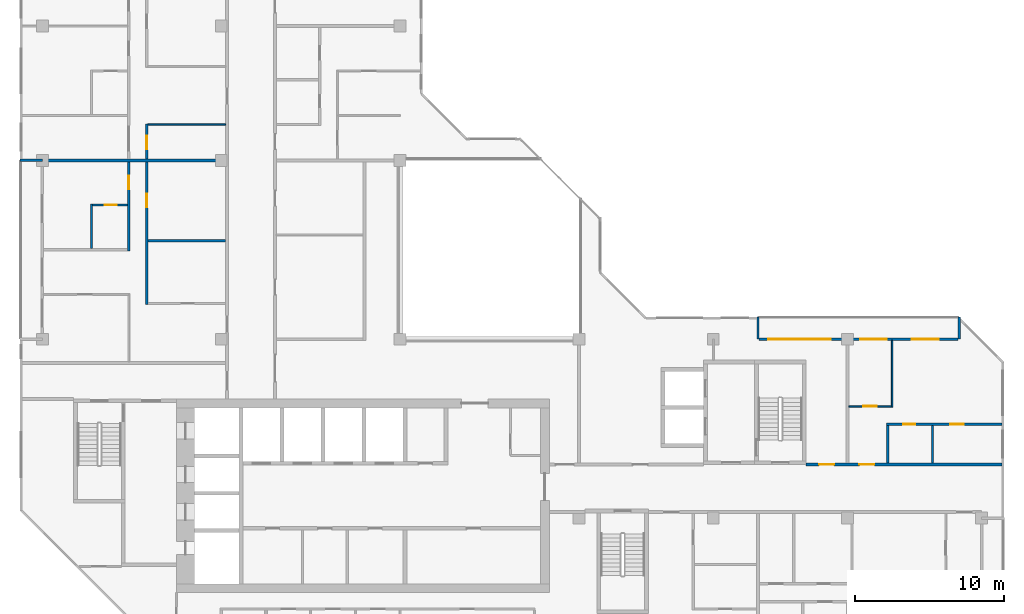
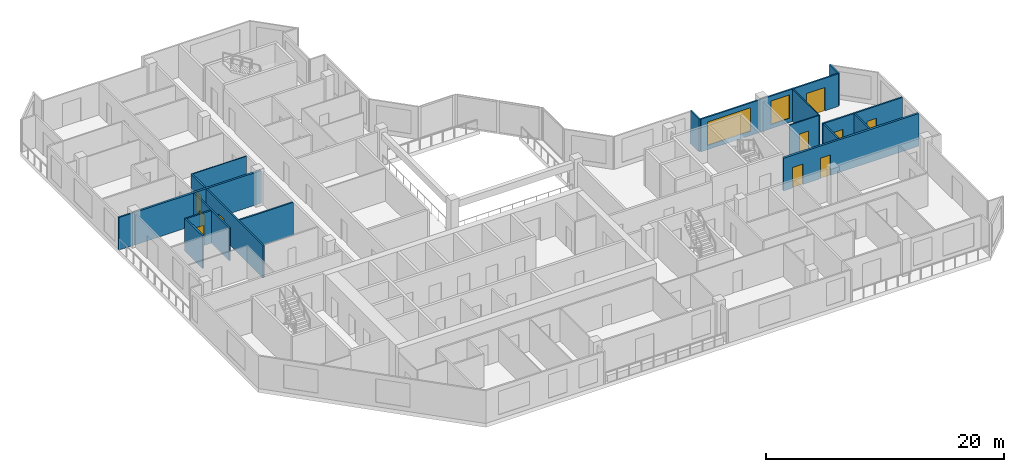
# One storey, part 8 of 13: 18 walls, 10 doors, 2 windows, 12 openings.
"""IFC4 building model written with IfcOpenShell, lengths in metres."""

from ifc_helpers import new_model, si_unit, direction, frame, frame_2d, origin, place, context, subcontext, project, spatial, rectangle, extrude, material, layer, layer_set, type_object, element, fill, save


model = new_model("IFC4")

# Units and contexts
model_context = context("Model", 3, precision=1e-05, world=origin(), true_north=direction((0.0, 1.0)))
body_context = subcontext(model_context, "Body", "Model", "MODEL_VIEW")
ifc_project = project(units=[si_unit("LENGTHUNIT", "METRE"), si_unit("AREAUNIT", "SQUARE_METRE"), si_unit("VOLUMEUNIT", "CUBIC_METRE"), si_unit("PLANEANGLEUNIT", "RADIAN"), si_unit("MASSUNIT", "GRAM", prefix="KILO")], contexts=[model_context])

# Site, building, storey
site_placement = place(None, origin())
site = spatial("IfcSite", under=ifc_project, at=site_placement, CompositionType="ELEMENT")
building_placement = place(site_placement, origin())
building = spatial("IfcBuilding", under=site, at=building_placement, Name="Chenar Terraces", CompositionType="ELEMENT")
storey_placement = place(building_placement, frame((0.0, 0.0, 307.14990234375)))
storey = spatial("IfcBuildingStorey", under=building, at=storey_placement, Name="L72", CompositionType="ELEMENT", Elevation=307.14990234375)

# Wall, openings, doors
ifc_material_1 = material(Name="Gypsum board on steel studs with fire boards", Category="steel")
ifc_layer_1 = layer(ifc_material_1, 0.199951171875)
ifc_layer_set_1 = layer_set([ifc_layer_1], Name="Gypsum board on steel studs with fire boards")
wall_type_1 = type_object("IfcWallType", Name="Corridor wall 200", PredefinedType="PARTITIONING", material=ifc_layer_set_1)
wall_1_placement = place(storey_placement, frame((51.22509765625, 15.60009765625, 0.0), z_axis=(0.0, 0.0, 1.0), x_axis=(1.0, 0.0, 0.0)))
wall_1 = element("IfcWall", 1, at=wall_1_placement, inside=storey, type_object=wall_type_1, Name="Partition L72-067", PredefinedType="PARTITIONING", context=body_context, shape_type="SweptSolid", body=[
    extrude(rectangle(XDim=13.125, YDim=0.199951171875, at=frame_2d((6.5625, 0.0))), origin(), (0.0, 0.0, 1.0), 3.35009765625),
])
opening_1_placement = place(wall_1_placement, frame((3.574951171875, 0.0, 0.0)))
opening_1 = element("IfcOpeningElement", 2, at=opening_1_placement, cuts=wall_1, Name="Opening DL72-7", PredefinedType="OPENING", context=body_context, shape_type="SweptSolid", body=[
    extrude(rectangle(XDim=1.0, YDim=2.10009765625, at=frame_2d((0.5, 1.050048828125))), frame((0.0, 0.10986328125, 0.0), z_axis=(0.0, -1.0, 0.0), x_axis=(1.0, 0.0, 0.0)), (0.0, 0.0, 1.0), 0.219970703125),
])
opening_2_placement = place(wall_1_placement, frame((0.875, 0.0, 0.0)))
opening_2 = element("IfcOpeningElement", 3, at=opening_2_placement, cuts=wall_1, Name="Opening DL72-32", PredefinedType="OPENING", context=body_context, shape_type="SweptSolid", body=[
    extrude(rectangle(XDim=1.0, YDim=2.10009765625, at=frame_2d((0.5, 1.050048828125))), frame((0.0, 0.10986328125, 0.0), z_axis=(0.0, -1.0, 0.0), x_axis=(1.0, 0.0, 0.0)), (0.0, 0.0, 1.0), 0.219970703125),
])
ifc_material_2 = material(Name="Steel-framed fire-resisting door leaf", Category="steel")
door_type_1 = type_object("IfcDoorType", Name="Fire door FD30S 1000 x 2100", OperationType="SINGLE_SWING_LEFT", PredefinedType="DOOR", material=ifc_material_2)
door_1_placement = place(opening_1_placement, origin())
door_1 = element("IfcDoor", 4, at=door_1_placement, inside=storey, type_object=door_type_1, Name="Door DL72-7", OperationType="SINGLE_SWING_LEFT", OverallHeight=2.10009765625, OverallWidth=1.0, PredefinedType="DOOR", context=body_context, shape_type="SweptSolid", body=[
    extrude(rectangle(XDim=1.0, YDim=2.10009765625, at=frame_2d((0.5, 1.050048828125))), frame((0.0, 0.02490234375, 0.0), z_axis=(0.0, -1.0, 0.0), x_axis=(1.0, 0.0, 0.0)), (0.0, 0.0, 1.0), 0.050048828125),
])
fill(opening_1, door_1)
door_2_placement = place(opening_2_placement, origin())
door_2 = element("IfcDoor", 5, at=door_2_placement, inside=storey, type_object=door_type_1, Name="Door DL72-32", OperationType="SINGLE_SWING_RIGHT", OverallHeight=2.10009765625, OverallWidth=1.0, PredefinedType="DOOR", context=body_context, shape_type="SweptSolid", body=[
    extrude(rectangle(XDim=1.0, YDim=2.10009765625, at=frame_2d((0.5, 1.050048828125))), frame((0.0, 0.02490234375, 0.0), z_axis=(0.0, -1.0, 0.0), x_axis=(1.0, 0.0, 0.0)), (0.0, 0.0, 1.0), 0.050048828125),
])
fill(opening_2, door_2)

# Wall, openings, windows, door
ifc_material_3 = material(Name="Aluminium framed glazing", Category="aluminium")
ifc_layer_2 = layer(ifc_material_3, 0.14990234375)
ifc_layer_set_2 = layer_set([ifc_layer_2], Name="Aluminium framed glazing")
wall_type_2 = type_object("IfcWallType", Name="Glazed loggia back wall 150", PredefinedType="SOLIDWALL", material=ifc_layer_set_2)
wall_2_placement = place(storey_placement, frame((61.425048828125, 24.0, 0.0), z_axis=(0.0, 0.0, 1.0), x_axis=(-1.0, 0.0, 0.0)))
wall_2 = element("IfcWall", 6, at=wall_2_placement, inside=storey, type_object=wall_type_2, Name="Glazed loggia back wall", PredefinedType="SOLIDWALL", context=body_context, shape_type="SweptSolid", body=[
    extrude(rectangle(XDim=13.35009765625, YDim=0.14990234375, at=frame_2d((6.675048828125, 0.0))), origin(), (0.0, 0.0, 1.0), 3.35009765625),
])
opening_3_placement = place(wall_2_placement, frame((1.3125, 0.0, 0.0)))
opening_3 = element("IfcOpeningElement", 7, at=opening_3_placement, cuts=wall_2, Name="Opening DL72-G1", PredefinedType="OPENING", context=body_context, shape_type="SweptSolid", body=[
    extrude(rectangle(XDim=1.800048828125, YDim=2.39990234375, at=frame_2d((0.89990234375, 1.199951171875))), frame((0.0, 0.0849609375, 0.0), z_axis=(0.0, -1.0, 0.0), x_axis=(1.0, 0.0, 0.0)), (0.0, 0.0, 1.0), 0.169921875),
])
opening_4_placement = place(wall_2_placement, frame((4.77490234375, 0.0, 0.449951171875)))
opening_4 = element("IfcOpeningElement", 8, at=opening_4_placement, cuts=wall_2, Name="Opening W180x240", PredefinedType="OPENING", context=body_context, shape_type="SweptSolid", body=[
    extrude(rectangle(XDim=1.800048828125, YDim=2.39990234375, at=frame_2d((0.89990234375, 1.199951171875))), frame((0.0, 0.0849609375, 0.0), z_axis=(0.0, -1.0, 0.0), x_axis=(1.0, 0.0, 0.0)), (0.0, 0.0, 1.0), 0.169921875),
])
opening_5_placement = place(wall_2_placement, frame((8.53759765625, 0.0, 0.449951171875)))
opening_5 = element("IfcOpeningElement", 9, at=opening_5_placement, cuts=wall_2, Name="Opening W420x240", PredefinedType="OPENING", context=body_context, shape_type="SweptSolid", body=[
    extrude(rectangle(XDim=4.199951171875, YDim=2.39990234375, at=frame_2d((2.10009765625, 1.199951171875))), frame((0.0, 0.0849609375, 0.0), z_axis=(0.0, -1.0, 0.0), x_axis=(1.0, 0.0, 0.0)), (0.0, 0.0, 1.0), 0.169921875),
])
ifc_material_4 = material(Name="Low emissivity double glazing, aluminium frame", Category="aluminium")
window_type_1 = type_object("IfcWindowType", Name="Fixed light 1800 x 2400", PartitioningType="SINGLE_PANEL", PredefinedType="WINDOW", material=ifc_material_4)
window_1_placement = place(opening_4_placement, origin())
window_1 = element("IfcWindow", 10, at=window_1_placement, inside=storey, type_object=window_type_1, Name="Window", OverallHeight=2.39990234375, OverallWidth=1.800048828125, PartitioningType="SINGLE_PANEL", PredefinedType="WINDOW", context=body_context, shape_type="SweptSolid", body=[
    extrude(rectangle(XDim=1.800048828125, YDim=2.39990234375, at=frame_2d((0.89990234375, 1.199951171875))), frame((0.0, 0.030029296875, 0.0), z_axis=(0.0, -1.0, 0.0), x_axis=(1.0, 0.0, 0.0)), (0.0, 0.0, 1.0), 0.06005859375),
])
fill(opening_4, window_1)
ifc_material_5 = material(Name="Low emissivity double glazing, aluminium frame", Category="aluminium")
window_type_2 = type_object("IfcWindowType", Name="Fixed light 4200 x 2400", PartitioningType="SINGLE_PANEL", PredefinedType="WINDOW", material=ifc_material_5)
window_2_placement = place(opening_5_placement, origin())
window_2 = element("IfcWindow", 11, at=window_2_placement, inside=storey, type_object=window_type_2, Name="Window", OverallHeight=2.39990234375, OverallWidth=4.199951171875, PartitioningType="SINGLE_PANEL", PredefinedType="WINDOW", context=body_context, shape_type="SweptSolid", body=[
    extrude(rectangle(XDim=4.199951171875, YDim=2.39990234375, at=frame_2d((2.10009765625, 1.199951171875))), frame((0.0, 0.030029296875, 0.0), z_axis=(0.0, -1.0, 0.0), x_axis=(1.0, 0.0, 0.0)), (0.0, 0.0, 1.0), 0.06005859375),
])
fill(opening_5, window_2)
ifc_material_6 = material(Name="Low emissivity double glazing, aluminium frame", Category="aluminium")
door_type_2 = type_object("IfcDoorType", Name="Loggia glazed double door 1800 x 2400", OperationType="DOUBLE_DOOR_SINGLE_SWING", PredefinedType="DOOR", material=ifc_material_6)
door_3_placement = place(opening_3_placement, frame((1.800048828125, 0.0, 0.0), z_axis=(0.0, 0.0, 1.0), x_axis=(-1.0, 0.0, 0.0)))
door_3 = element("IfcDoor", 12, at=door_3_placement, inside=storey, type_object=door_type_2, Name="Loggia glazed door", OperationType="DOUBLE_DOOR_SINGLE_SWING", OverallHeight=2.39990234375, OverallWidth=1.800048828125, PredefinedType="DOOR", context=body_context, shape_type="SweptSolid", body=[
    extrude(rectangle(XDim=1.800048828125, YDim=2.39990234375, at=frame_2d((0.89990234375, 1.199951171875))), frame((0.0, 0.02490234375, 0.0), z_axis=(0.0, -1.0, 0.0), x_axis=(1.0, 0.0, 0.0)), (0.0, 0.0, 1.0), 0.050048828125),
])
fill(opening_3, door_3)

# Wall
ifc_material_7 = material(Name="Gypsum board on steel studs", Category="steel")
ifc_layer_3 = layer(ifc_material_7, 0.10009765625)
ifc_layer_set_3 = layer_set([ifc_layer_3], Name="Gypsum board on steel studs")
wall_type_3 = type_object("IfcWallType", Name="Gypsum partition 100", PredefinedType="PARTITIONING", material=ifc_layer_set_3)
wall_3_placement = place(storey_placement, frame((7.074951171875, 38.39990234375, 0.0), z_axis=(0.0, 0.0, 1.0), x_axis=(1.0, 0.0, 0.0)))
element("IfcWall", 13, at=wall_3_placement, inside=storey, type_object=wall_type_3, Name="Partition L72-022", PredefinedType="PARTITIONING", context=body_context, shape_type="SweptSolid", body=[
    extrude(rectangle(XDim=5.22509765625, YDim=0.10009765625, at=frame_2d((2.612548828125, 0.0))), origin(), (0.0, 0.0, 1.0), 3.35009765625),
])

# Wall, opening, door
wall_4_placement = place(storey_placement, frame((54.10009765625, 19.5, 0.0), z_axis=(0.0, 0.0, 1.0), x_axis=(1.0, 0.0, 0.0)))
wall_4 = element("IfcWall", 14, at=wall_4_placement, inside=storey, type_object=wall_type_3, Name="Partition L72-070", PredefinedType="PARTITIONING", context=body_context, shape_type="SweptSolid", body=[
    extrude(rectangle(XDim=2.849853515625, YDim=0.10009765625, at=frame_2d((1.4248046875, 0.0))), origin(), (0.0, 0.0, 1.0), 3.35009765625),
])
opening_6_placement = place(wall_4_placement, frame((0.949951171875, 0.0, 0.0)))
opening_6 = element("IfcOpeningElement", 15, at=opening_6_placement, cuts=wall_4, Name="Opening DL72-5", PredefinedType="OPENING", context=body_context, shape_type="SweptSolid", body=[
    extrude(rectangle(XDim=0.89990234375, YDim=2.10009765625, at=frame_2d((0.449951171875, 1.050048828125))), frame((0.0, 0.06005859375, 0.0), z_axis=(0.0, -1.0, 0.0), x_axis=(1.0, 0.0, 0.0)), (0.0, 0.0, 1.0), 0.1201171875),
])
ifc_material_8 = material(Name="Veneered timber door leaf", Category="wood")
door_type_3 = type_object("IfcDoorType", Name="Door 900 x 2100", OperationType="SINGLE_SWING_LEFT", PredefinedType="DOOR", material=ifc_material_8)
door_4_placement = place(opening_6_placement, origin())
door_4 = element("IfcDoor", 16, at=door_4_placement, inside=storey, type_object=door_type_3, Name="Door DL72-5", OperationType="SINGLE_SWING_RIGHT", OverallHeight=2.10009765625, OverallWidth=0.89990234375, PredefinedType="DOOR", context=body_context, shape_type="SweptSolid", body=[
    extrude(rectangle(XDim=0.89990234375, YDim=2.10009765625, at=frame_2d((0.449951171875, 1.050048828125))), frame((0.0, 0.02490234375, 0.0), z_axis=(0.0, -1.0, 0.0), x_axis=(1.0, 0.0, 0.0)), (0.0, 0.0, 1.0), 0.050048828125),
])
fill(opening_6, door_4)

# Walls
wall_5_placement = place(storey_placement, frame((57.0, 19.449951171875, 0.0), z_axis=(0.0, 0.0, 1.0), x_axis=(0.0, 1.0, 0.0)))
element("IfcWall", 17, at=wall_5_placement, inside=storey, type_object=wall_type_3, Name="Partition L72-075", PredefinedType="PARTITIONING", context=body_context, shape_type="SweptSolid", body=[
    extrude(rectangle(XDim=4.47607421875, YDim=0.10009765625, at=frame_2d((2.238037109375, 0.0))), origin(), (0.0, 0.0, 1.0), 3.35009765625),
])
ifc_material_9 = material(Name="Terracotta cladding on insulated backing", Category="masonry")
ifc_layer_4 = layer(ifc_material_9, 0.14990234375)
ifc_layer_set_4 = layer_set([ifc_layer_4], Name="Terracotta cladding on insulated backing")
wall_type_4 = type_object("IfcWallType", Name="Loggia return wall 150", PredefinedType="SOLIDWALL", material=ifc_layer_set_4)
for number, where, z_axis, x_axis, name in (
    (18, (61.5, 25.5, 0.0), (0.0, 0.0, 1.0), (0.0, -1.0, 0.0), "Loggia return wall"),
    (19, (48.0, 25.5, 0.0), (0.0, 0.0, 1.0), (0.0, -1.0, 0.0), "Loggia return wall"),
    (20, (-1.5, 36.0, 0.0), (0.0, 0.0, 1.0), (1.0, 0.0, 0.0), "Loggia return wall"),
):
    element("IfcWall", number, at=place(storey_placement, frame(where, z_axis=z_axis, x_axis=x_axis)), inside=storey, type_object=wall_type_4, Name=name, PredefinedType="SOLIDWALL", context=body_context, shape_type="SweptSolid", body=[
        extrude(rectangle(XDim=1.5, YDim=0.14990234375, at=frame_2d((0.75, 0.0))), origin(), (0.0, 0.0, 1.0), 3.35009765625),
    ])
ifc_material_10 = material(Name="Twin gypsum board on steel studs with mineral wool", Category="steel")
ifc_layer_5 = layer(ifc_material_10, 0.199951171875)
ifc_layer_set_5 = layer_set([ifc_layer_5], Name="Twin gypsum board on steel studs with mineral wool")
wall_type_5 = type_object("IfcWallType", Name="Unit demising wall 200", PredefinedType="PARTITIONING", material=ifc_layer_set_5)
wall_6_placement = place(storey_placement, frame((0.0, 36.0, 0.0), z_axis=(0.0, 0.0, 1.0), x_axis=(1.0, 0.0, 0.0)))
element("IfcWall", 21, at=wall_6_placement, inside=storey, type_object=wall_type_5, Name="Partition L72-005", PredefinedType="PARTITIONING", context=body_context, shape_type="SweptSolid", body=[
    extrude(rectangle(XDim=12.300048828125, YDim=0.199951171875, at=frame_2d((6.14990234375, 0.0))), origin(), (0.0, 0.0, 1.0), 3.35009765625),
])
ifc_material_11 = material(Name="Moisture-resistant gypsum board on steel studs", Category="steel")
ifc_layer_6 = layer(ifc_material_11, 0.14990234375)
ifc_layer_set_6 = layer_set([ifc_layer_6], Name="Moisture-resistant gypsum board on steel studs")
wall_type_6 = type_object("IfcWallType", Name="Wet-room partition 150", PredefinedType="PARTITIONING", material=ifc_layer_set_6)
wall_7_placement = place(storey_placement, frame((3.300048828125, 30.074951171875, 0.0), z_axis=(0.0, 0.0, 1.0), x_axis=(0.0, 1.0, 0.0)))
element("IfcWall", 22, at=wall_7_placement, inside=storey, type_object=wall_type_6, Name="Partition L72-010", PredefinedType="PARTITIONING", context=body_context, shape_type="SweptSolid", body=[
    extrude(rectangle(XDim=3.0, YDim=0.14990234375, at=frame_2d((1.5, 0.0))), origin(), (0.0, 0.0, 1.0), 3.35009765625),
])

# Wall, opening, door
wall_8_placement = place(storey_placement, frame((3.375, 33.0, 0.0), z_axis=(0.0, 0.0, 1.0), x_axis=(1.0, 0.0, 0.0)))
wall_8 = element("IfcWall", 23, at=wall_8_placement, inside=storey, type_object=wall_type_6, Name="Partition L72-012", PredefinedType="PARTITIONING", context=body_context, shape_type="SweptSolid", body=[
    extrude(rectangle(XDim=2.35009765625, YDim=0.14990234375, at=frame_2d((1.175048828125, 0.0))), origin(), (0.0, 0.0, 1.0), 3.35009765625),
])
opening_7_placement = place(wall_8_placement, frame((0.824951171875, 0.0, 0.0)))
opening_7 = element("IfcOpeningElement", 24, at=opening_7_placement, cuts=wall_8, Name="Opening DL72-50", PredefinedType="OPENING", context=body_context, shape_type="SweptSolid", body=[
    extrude(rectangle(XDim=0.800048828125, YDim=2.10009765625, at=frame_2d((0.39990234375, 1.050048828125))), frame((0.0, 0.0849609375, 0.0), z_axis=(0.0, -1.0, 0.0), x_axis=(1.0, 0.0, 0.0)), (0.0, 0.0, 1.0), 0.169921875),
])
ifc_material_12 = material(Name="Veneered timber door leaf", Category="wood")
door_type_4 = type_object("IfcDoorType", Name="Door 800 x 2100", OperationType="SINGLE_SWING_LEFT", PredefinedType="DOOR", material=ifc_material_12)
door_5_placement = place(opening_7_placement, frame((0.800048828125, 0.0, 0.0), z_axis=(0.0, 0.0, 1.0), x_axis=(-1.0, 0.0, 0.0)))
door_5 = element("IfcDoor", 25, at=door_5_placement, inside=storey, type_object=door_type_4, Name="Door DL72-50", OperationType="SINGLE_SWING_LEFT", OverallHeight=2.10009765625, OverallWidth=0.800048828125, PredefinedType="DOOR", context=body_context, shape_type="SweptSolid", body=[
    extrude(rectangle(XDim=0.800048828125, YDim=2.10009765625, at=frame_2d((0.39990234375, 1.050048828125))), frame((0.0, 0.02490234375, 0.0), z_axis=(0.0, -1.0, 0.0), x_axis=(1.0, 0.0, 0.0)), (0.0, 0.0, 1.0), 0.050048828125),
])
fill(opening_7, door_5)

wall_9_placement = place(storey_placement, frame((5.800048828125, 29.925048828125, 0.0), z_axis=(0.0, 0.0, 1.0), x_axis=(0.0, 1.0, 0.0)))
wall_9 = element("IfcWall", 26, at=wall_9_placement, inside=storey, type_object=wall_type_6, Name="Partition L72-015", PredefinedType="PARTITIONING", context=body_context, shape_type="SweptSolid", body=[
    extrude(rectangle(XDim=5.974853515625, YDim=0.14990234375, at=frame_2d((2.9873046875, 0.0))), origin(), (0.0, 0.0, 1.0), 3.35009765625),
])
opening_8_placement = place(wall_9_placement, frame((4.125, 0.0, 0.0)))
opening_8 = element("IfcOpeningElement", 27, at=opening_8_placement, cuts=wall_9, Name="Opening DL72-49", PredefinedType="OPENING", context=body_context, shape_type="SweptSolid", body=[
    extrude(rectangle(XDim=0.89990234375, YDim=2.10009765625, at=frame_2d((0.449951171875, 1.050048828125))), frame((0.0, 0.0849609375, 0.0), z_axis=(0.0, -1.0, 0.0), x_axis=(1.0, 0.0, 0.0)), (0.0, 0.0, 1.0), 0.169921875),
])
door_6_placement = place(opening_8_placement, origin())
door_6 = element("IfcDoor", 28, at=door_6_placement, inside=storey, type_object=door_type_3, Name="Door DL72-49", OperationType="SINGLE_SWING_LEFT", OverallHeight=2.10009765625, OverallWidth=0.89990234375, PredefinedType="DOOR", context=body_context, shape_type="SweptSolid", body=[
    extrude(rectangle(XDim=0.89990234375, YDim=2.10009765625, at=frame_2d((0.449951171875, 1.050048828125))), frame((0.0, 0.02490234375, 0.0), z_axis=(0.0, -1.0, 0.0), x_axis=(1.0, 0.0, 0.0)), (0.0, 0.0, 1.0), 0.050048828125),
])
fill(opening_8, door_6)

wall_10_placement = place(storey_placement, frame((7.0, 26.324951171875, 0.0), z_axis=(0.0, 0.0, 1.0), x_axis=(0.0, 1.0, 0.0)))
wall_10 = element("IfcWall", 29, at=wall_10_placement, inside=storey, type_object=wall_type_6, Name="Partition L72-017", PredefinedType="PARTITIONING", context=body_context, shape_type="SweptSolid", body=[
    extrude(rectangle(XDim=9.574951171875, YDim=0.14990234375, at=frame_2d((4.78759765625, 0.0))), origin(), (0.0, 0.0, 1.0), 3.35009765625),
])
opening_9_placement = place(wall_10_placement, frame((6.52490234375, 0.0, 0.0)))
opening_9 = element("IfcOpeningElement", 30, at=opening_9_placement, cuts=wall_10, Name="Opening DL72-51", PredefinedType="OPENING", context=body_context, shape_type="SweptSolid", body=[
    extrude(rectangle(XDim=0.89990234375, YDim=2.10009765625, at=frame_2d((0.449951171875, 1.050048828125))), frame((0.0, 0.0849609375, 0.0), z_axis=(0.0, -1.0, 0.0), x_axis=(1.0, 0.0, 0.0)), (0.0, 0.0, 1.0), 0.169921875),
])
door_7_placement = place(opening_9_placement, frame((0.89990234375, 0.0, 0.0), z_axis=(0.0, 0.0, 1.0), x_axis=(-1.0, 0.0, 0.0)))
door_7 = element("IfcDoor", 31, at=door_7_placement, inside=storey, type_object=door_type_3, Name="Door DL72-51", OperationType="SINGLE_SWING_RIGHT", OverallHeight=2.10009765625, OverallWidth=0.89990234375, PredefinedType="DOOR", context=body_context, shape_type="SweptSolid", body=[
    extrude(rectangle(XDim=0.89990234375, YDim=2.10009765625, at=frame_2d((0.449951171875, 1.050048828125))), frame((0.0, 0.02490234375, 0.0), z_axis=(0.0, -1.0, 0.0), x_axis=(1.0, 0.0, 0.0)), (0.0, 0.0, 1.0), 0.050048828125),
])
fill(opening_9, door_7)

wall_11_placement = place(storey_placement, frame((7.0, 36.10009765625, 0.0), z_axis=(0.0, 0.0, 1.0), x_axis=(0.0, 1.0, 0.0)))
wall_11 = element("IfcWall", 32, at=wall_11_placement, inside=storey, type_object=wall_type_6, Name="Partition L72-018", PredefinedType="PARTITIONING", context=body_context, shape_type="SweptSolid", body=[
    extrude(rectangle(XDim=2.349853515625, YDim=0.14990234375, at=frame_2d((1.1748046875, 0.0))), origin(), (0.0, 0.0, 1.0), 3.35009765625),
])
opening_10_placement = place(wall_11_placement, frame((0.64990234375, 0.0, 0.0)))
opening_10 = element("IfcOpeningElement", 33, at=opening_10_placement, cuts=wall_11, Name="Opening DL72-27", PredefinedType="OPENING", context=body_context, shape_type="SweptSolid", body=[
    extrude(rectangle(XDim=0.89990234375, YDim=2.10009765625, at=frame_2d((0.449951171875, 1.050048828125))), frame((0.0, 0.0849609375, 0.0), z_axis=(0.0, -1.0, 0.0), x_axis=(1.0, 0.0, 0.0)), (0.0, 0.0, 1.0), 0.169921875),
])
door_8_placement = place(opening_10_placement, frame((0.89990234375, 0.0, 0.0), z_axis=(0.0, 0.0, 1.0), x_axis=(-1.0, 0.0, 0.0)))
door_8 = element("IfcDoor", 34, at=door_8_placement, inside=storey, type_object=door_type_3, Name="Door DL72-27", OperationType="SINGLE_SWING_RIGHT", OverallHeight=2.10009765625, OverallWidth=0.89990234375, PredefinedType="DOOR", context=body_context, shape_type="SweptSolid", body=[
    extrude(rectangle(XDim=0.89990234375, YDim=2.10009765625, at=frame_2d((0.449951171875, 1.050048828125))), frame((0.0, 0.02490234375, 0.0), z_axis=(0.0, -1.0, 0.0), x_axis=(1.0, 0.0, 0.0)), (0.0, 0.0, 1.0), 0.050048828125),
])
fill(opening_10, door_8)

# Wall
wall_12_placement = place(storey_placement, frame((7.074951171875, 30.60009765625, 0.0), z_axis=(0.0, 0.0, 1.0), x_axis=(1.0, 0.0, 0.0)))
element("IfcWall", 35, at=wall_12_placement, inside=storey, type_object=wall_type_6, Name="Partition L72-021", PredefinedType="PARTITIONING", context=body_context, shape_type="SweptSolid", body=[
    extrude(rectangle(XDim=5.22509765625, YDim=0.14990234375, at=frame_2d((2.612548828125, 0.0))), origin(), (0.0, 0.0, 1.0), 3.35009765625),
])

# Wall, openings, doors
wall_13_placement = place(storey_placement, frame((56.625, 18.300048828125, 0.0), z_axis=(0.0, 0.0, 1.0), x_axis=(1.0, 0.0, 0.0)))
wall_13 = element("IfcWall", 36, at=wall_13_placement, inside=storey, type_object=wall_type_6, Name="Partition L72-072", PredefinedType="PARTITIONING", context=body_context, shape_type="SweptSolid", body=[
    extrude(rectangle(XDim=7.72509765625, YDim=0.14990234375, at=frame_2d((3.862548828125, 0.0))), origin(), (0.0, 0.0, 1.0), 3.35009765625),
])
opening_11_placement = place(wall_13_placement, frame((1.125, 0.0, 0.0)))
opening_11 = element("IfcOpeningElement", 37, at=opening_11_placement, cuts=wall_13, Name="Opening DL72-4", PredefinedType="OPENING", context=body_context, shape_type="SweptSolid", body=[
    extrude(rectangle(XDim=0.800048828125, YDim=2.10009765625, at=frame_2d((0.39990234375, 1.050048828125))), frame((0.0, 0.0849609375, 0.0), z_axis=(0.0, -1.0, 0.0), x_axis=(1.0, 0.0, 0.0)), (0.0, 0.0, 1.0), 0.169921875),
])
opening_12_placement = place(wall_13_placement, frame((4.27490234375, 0.0, 0.0)))
opening_12 = element("IfcOpeningElement", 38, at=opening_12_placement, cuts=wall_13, Name="Opening DL72-6", PredefinedType="OPENING", context=body_context, shape_type="SweptSolid", body=[
    extrude(rectangle(XDim=0.89990234375, YDim=2.10009765625, at=frame_2d((0.449951171875, 1.050048828125))), frame((0.0, 0.0849609375, 0.0), z_axis=(0.0, -1.0, 0.0), x_axis=(1.0, 0.0, 0.0)), (0.0, 0.0, 1.0), 0.169921875),
])
door_9_placement = place(opening_11_placement, frame((0.800048828125, 0.0, 0.0), z_axis=(0.0, 0.0, 1.0), x_axis=(-1.0, 0.0, 0.0)))
door_9 = element("IfcDoor", 39, at=door_9_placement, inside=storey, type_object=door_type_4, Name="Door DL72-4", OperationType="SINGLE_SWING_RIGHT", OverallHeight=2.10009765625, OverallWidth=0.800048828125, PredefinedType="DOOR", context=body_context, shape_type="SweptSolid", body=[
    extrude(rectangle(XDim=0.800048828125, YDim=2.10009765625, at=frame_2d((0.39990234375, 1.050048828125))), frame((0.0, 0.02490234375, 0.0), z_axis=(0.0, -1.0, 0.0), x_axis=(1.0, 0.0, 0.0)), (0.0, 0.0, 1.0), 0.050048828125),
])
fill(opening_11, door_9)
door_10_placement = place(opening_12_placement, frame((0.89990234375, 0.0, 0.0), z_axis=(0.0, 0.0, 1.0), x_axis=(-1.0, 0.0, 0.0)))
door_10 = element("IfcDoor", 40, at=door_10_placement, inside=storey, type_object=door_type_3, Name="Door DL72-6", OperationType="SINGLE_SWING_RIGHT", OverallHeight=2.10009765625, OverallWidth=0.89990234375, PredefinedType="DOOR", context=body_context, shape_type="SweptSolid", body=[
    extrude(rectangle(XDim=0.89990234375, YDim=2.10009765625, at=frame_2d((0.449951171875, 1.050048828125))), frame((0.0, 0.02490234375, 0.0), z_axis=(0.0, -1.0, 0.0), x_axis=(1.0, 0.0, 0.0)), (0.0, 0.0, 1.0), 0.050048828125),
])
fill(opening_12, door_10)

# Walls
for number, where, z_axis, x_axis, name in (
    (41, (56.699951171875, 15.699951171875, 0.0), (0.0, 0.0, 1.0), (0.0, 1.0, 0.0), "Partition L72-073"),
    (42, (59.699951171875, 15.699951171875, 0.0), (0.0, 0.0, 1.0), (0.0, 1.0, 0.0), "Partition L72-076"),
):
    element("IfcWall", number, at=place(storey_placement, frame(where, z_axis=z_axis, x_axis=x_axis)), inside=storey, type_object=wall_type_6, Name=name, PredefinedType="PARTITIONING", context=body_context, shape_type="SweptSolid", body=[
        extrude(rectangle(XDim=2.525146484375, YDim=0.14990234375, at=frame_2d((1.2626953125, 0.0))), origin(), (0.0, 0.0, 1.0), 3.35009765625),
    ])

save(model, "model.ifc")
